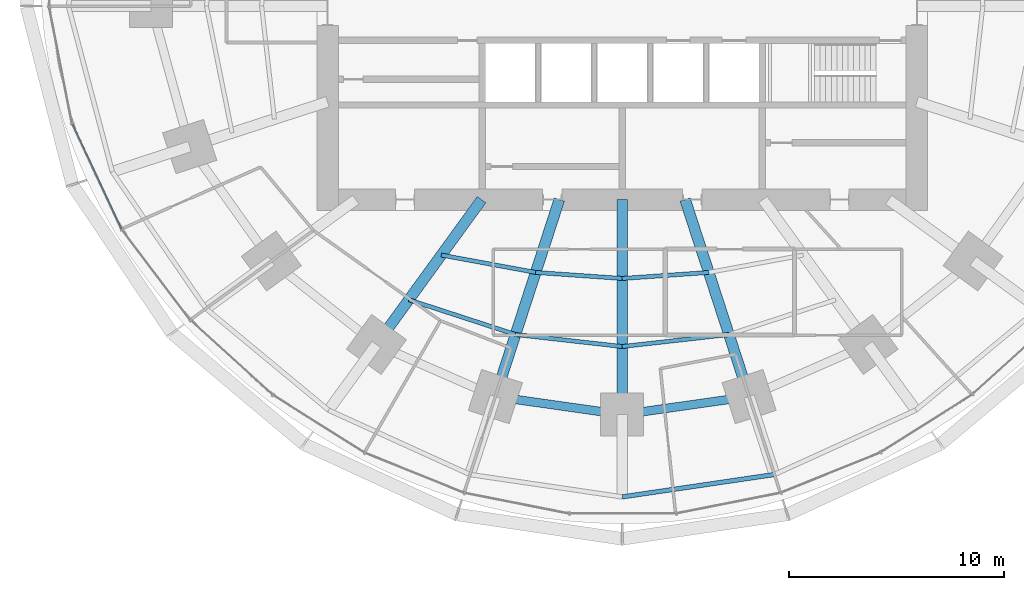
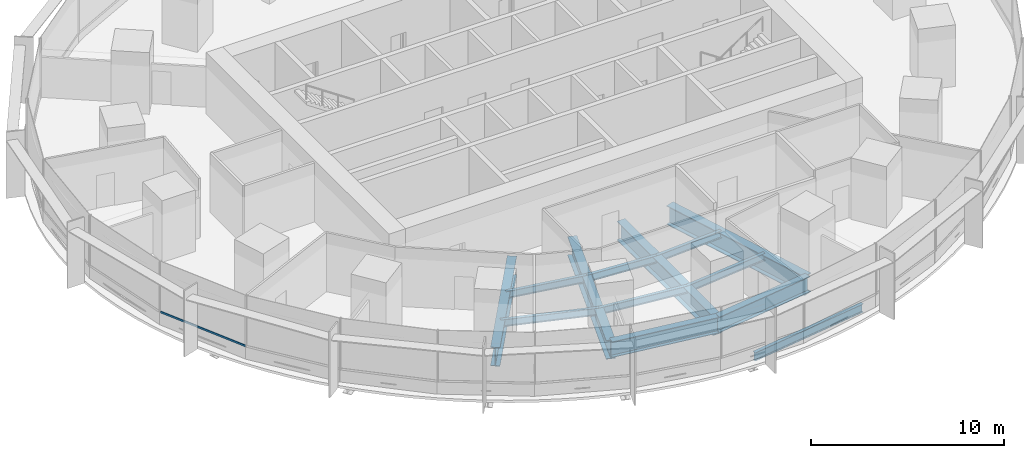
# One storey, part 3 of 15: 13 beams, 1 member, 1 element without a shape of its own.
"""IFC4 building model written with IfcOpenShell, lengths in metres."""

import ifcopenshell
import ifcopenshell.guid

model = None  # the IFC model being written
_history = None  # IfcOwnerHistory: only IFC2X3 demands one
_inside = {}  # id of a spatial element -> (the spatial element, [elements in it])
_under = {}  # id of a project, library or spatial element -> (it, [spatial elements below it])
_declared = {}  # id of a project -> (the project, [libraries it declares])
_typed = {}  # id of a type object -> (the type object, [elements of that type])
_made_of = {}  # id of a material, layer set ... -> (it, [elements and type objects made of it])


def new_model(schema):
    """Start an empty IFC model of exactly this schema.

    Asked for "IFC4X3", IfcOpenShell would pick the latest addendum, in which some entities
    have other attributes; the version numbers below select the first issue.
    IFC2X3 requires an IfcOwnerHistory on every rooted entity: one is made here for all.
    """
    global model, _history
    if schema == "IFC4X3":
        model = ifcopenshell.file(schema_version=(4, 3, 0, 0))
    else:
        model = ifcopenshell.file(schema=schema)
    _inside.clear()
    _under.clear()
    _declared.clear()
    _typed.clear()
    _made_of.clear()
    _history = None
    if model.schema == "IFC2X3":
        org = make("IfcOrganization", Name="unknown")
        user = make(
            "IfcPersonAndOrganization",
            ThePerson=make("IfcPerson", FamilyName="unknown"),
            TheOrganization=org,
        )
        app = make(
            "IfcApplication",
            ApplicationDeveloper=org,
            Version="unknown",
            ApplicationFullName="unknown",
            ApplicationIdentifier="unknown",
        )
        _history = make(
            "IfcOwnerHistory",
            OwningUser=user,
            OwningApplication=app,
            ChangeAction="ADDED",
            CreationDate=0,
        )
    return model


def make(cls, **values):
    """One entity of the class cls with the attributes given. An attribute that is None is left unset."""
    return model.create_entity(
        cls, **{name: value for name, value in values.items() if value is not None}
    )


def rooted(cls, **values):
    """An entity with a GlobalId (a new one), such as an element, a storey or a relation."""
    return make(cls, GlobalId=ifcopenshell.guid.new(), OwnerHistory=_history, **values)


def si_unit(unit_type, name, prefix=None):
    """IfcSIUnit, for example si_unit("LENGTHUNIT", "METRE", prefix="MILLI")."""
    return make("IfcSIUnit", UnitType=unit_type, Prefix=prefix, Name=name)


def assignment(units):
    """IfcUnitAssignment: the units of a project."""
    return None if units is None else make("IfcUnitAssignment", Units=units)


def point(xyz):
    """IfcCartesianPoint."""
    return None if xyz is None else make("IfcCartesianPoint", Coordinates=xyz)


def direction(xyz):
    """IfcDirection."""
    return None if xyz is None else make("IfcDirection", DirectionRatios=xyz)


def frame(location, z_axis=None, x_axis=None):
    """IfcAxis2Placement3D, a coordinate frame: its origin and axes. An axis left out is left unset."""
    return make(
        "IfcAxis2Placement3D",
        Location=point(location),
        Axis=direction(z_axis),
        RefDirection=direction(x_axis),
    )


def frame_2d(location, x_axis=None):
    """IfcAxis2Placement2D, a coordinate frame in the plane: its origin and x axis."""
    return make(
        "IfcAxis2Placement2D", Location=point(location), RefDirection=direction(x_axis)
    )


def origin():
    """The frame at (0, 0, 0) with its axes left unset."""
    return frame((0.0, 0.0, 0.0))


def origin_2d():
    """The frame at (0, 0) in the plane with its x axis left unset."""
    return frame_2d((0.0, 0.0))


def place(relative_to, where):
    """IfcLocalPlacement: puts the frame where relative to a parent placement (None: the world)."""
    return make(
        "IfcLocalPlacement", PlacementRelTo=relative_to, RelativePlacement=where
    )


def context(
    kind, dimensions, precision=None, world=None, true_north=None, identifier=None
):
    """IfcGeometricRepresentationContext, for example the 3D "Model" context."""
    return make(
        "IfcGeometricRepresentationContext",
        ContextIdentifier=identifier,
        ContextType=kind,
        CoordinateSpaceDimension=dimensions,
        Precision=precision,
        WorldCoordinateSystem=world,
        TrueNorth=true_north,
    )


def subcontext(parent, identifier, kind, view, scale=None):
    """IfcGeometricRepresentationSubContext, for example "Body" below "Model"."""
    return make(
        "IfcGeometricRepresentationSubContext",
        ContextIdentifier=identifier,
        ContextType=kind,
        ParentContext=parent,
        TargetScale=scale,
        TargetView=view,
    )


def project(units=None, contexts=None):
    """IfcProject with its units and contexts."""
    return rooted(
        "IfcProject",
        Name="project",
        RepresentationContexts=contexts,
        UnitsInContext=assignment(units),
    )


def spatial(cls, under=None, at=None, **own):
    """A site, building, storey or space (cls), placed at a placement, below another one or the project."""
    s = rooted(cls, ObjectPlacement=at, **own)
    if under is not None:
        _under.setdefault(under.id(), (under, []))[1].append(s)
    return s


def profile(cls, at=None, kind="AREA", **sizes):
    """A parametric profile (cls). Its sizes go by their IFC names, for example OverallWidth=200.0."""
    return make(cls, ProfileType=kind, Position=at, **sizes)


def rectangle(**sizes):
    """IfcRectangleProfileDef."""
    return profile("IfcRectangleProfileDef", **sizes)


def i_section(**sizes):
    """IfcIShapeProfileDef."""
    return profile("IfcIShapeProfileDef", **sizes)


def extrude(swept, where, along, depth):
    """IfcExtrudedAreaSolid: the profile swept, set in the frame where, extruded along a direction by depth."""
    return make(
        "IfcExtrudedAreaSolid",
        SweptArea=swept,
        Position=where,
        ExtrudedDirection=direction(along),
        Depth=depth,
    )


def shape(context_of_items, identifier, shape_type, items):
    """IfcShapeRepresentation: the items that make up one representation, for example the "Body"."""
    return make(
        "IfcShapeRepresentation",
        ContextOfItems=context_of_items,
        RepresentationIdentifier=identifier,
        RepresentationType=shape_type,
        Items=items,
    )


def material(Name=None, Category=None):
    """IfcMaterial."""
    return make("IfcMaterial", Name=Name, Category=Category)


def material_profile(
    of_material, cross_section, Name=None, Category=None, Priority=None
):
    """IfcMaterialProfile: a cross section and its material."""
    return make(
        "IfcMaterialProfile",
        Name=Name,
        Material=of_material,
        Profile=cross_section,
        Priority=Priority,
        Category=Category,
    )


def profile_set(profiles, Name=None, composite=None):
    """IfcMaterialProfileSet."""
    return make(
        "IfcMaterialProfileSet",
        Name=Name,
        MaterialProfiles=profiles,
        CompositeProfile=composite,
    )


def made_of(thing, what):
    """Note that an element or type object is made of a material, layer set ...; save() writes the relation."""
    if what is not None:
        _made_of.setdefault(what.id(), (what, []))[1].append(thing)
    return thing


def type_object(cls, material=None, **own):
    """A type object (cls), such as IfcWallType, which elements share."""
    return made_of(rooted(cls, **own), material)


def element(
    cls,
    number,
    at=None,
    inside=None,
    cuts=None,
    type_object=None,
    material=None,
    context=None,
    identifier="Body",
    shape_type=None,
    held_by="IfcProductDefinitionShape",
    body=None,
    shapes=None,
    **own,
):
    """One element of the class cls, such as IfcWall. Its Tag is "e" and its number.

    at: its placement. inside: the storey or other place that contains it. cuts: it is an
    opening in that element (IfcRelVoidsElement). A single representation is given by context,
    identifier, shape_type and body (its items); several are given by shapes. held_by: the class
    of the entity that holds the representations. save() writes the other relations.
    """
    e = rooted(cls, Tag="e%d" % number, ObjectPlacement=at, **own)
    if body is not None:
        shapes = [shape(context, identifier, shape_type, body)]
    if shapes is not None:
        e.Representation = make(held_by, Representations=shapes)
    if inside is not None:
        _inside.setdefault(inside.id(), (inside, []))[1].append(e)
    if cuts is not None:
        rooted(
            "IfcRelVoidsElement", RelatingBuildingElement=cuts, RelatedOpeningElement=e
        )
    if type_object is not None:
        _typed.setdefault(type_object.id(), (type_object, []))[1].append(e)
    return made_of(e, material)


def aggregate(whole, parts):
    """IfcRelAggregates: a whole, such as a stair, and the parts it consists of."""
    return rooted("IfcRelAggregates", RelatingObject=whole, RelatedObjects=parts)


def save(model, path):
    """Write the relations noted so far, then the file.

    IfcRelAggregates (storeys below a building ...), IfcRelContainedInSpatialStructure (elements
    in a storey), IfcRelDefinesByType, IfcRelAssociatesMaterial and IfcRelDeclares: one each for
    every whole, place, type object, material and project.
    """
    for whole, parts in _under.values():
        aggregate(whole, parts)
    for where, things in _inside.values():
        rooted(
            "IfcRelContainedInSpatialStructure",
            RelatedElements=things,
            RelatingStructure=where,
        )
    for kind, things in _typed.values():
        rooted("IfcRelDefinesByType", RelatedObjects=things, RelatingType=kind)
    for what, things in _made_of.values():
        rooted("IfcRelAssociatesMaterial", RelatedObjects=things, RelatingMaterial=what)
    for by, libraries in _declared.values():
        rooted("IfcRelDeclares", RelatingContext=by, RelatedDefinitions=libraries)
    model.write(path)


model = new_model("IFC4")

# Units and contexts
model_context = context("Model", 3, precision=1e-05, world=origin(), true_north=direction((0.0, 1.0)))
body_context = subcontext(model_context, "Body", "Model", "MODEL_VIEW")
ifc_project = project(units=[si_unit("LENGTHUNIT", "METRE"), si_unit("AREAUNIT", "SQUARE_METRE"), si_unit("VOLUMEUNIT", "CUBIC_METRE"), si_unit("PLANEANGLEUNIT", "RADIAN"), si_unit("MASSUNIT", "GRAM", prefix="KILO")], contexts=[model_context])

# Site, building, storey
site_placement = place(None, origin())
site = spatial("IfcSite", under=ifc_project, at=site_placement, CompositionType="ELEMENT")
building_placement = place(site_placement, origin())
building = spatial("IfcBuilding", under=site, at=building_placement, Name="Marramba Exchange Tower", CompositionType="ELEMENT")
storey_placement = place(building_placement, frame((0.0, 0.0, 57.39990234375)))
storey = spatial("IfcBuildingStorey", under=building, at=storey_placement, Name="L13", CompositionType="ELEMENT", Elevation=57.39990234375)

# Beams
ifc_material_1 = material(Name="Steel AS/NZS 3679.1 grade 300", Category="steel")
ifc_material_profile_1 = material_profile(ifc_material_1, i_section(OverallWidth=0.18994140625, OverallDepth=0.4541015625, WebThickness=0.008544921875, FlangeThickness=0.0126953125, FilletRadius=0.011474609375, at=origin_2d()), Name="460UB67.1")
ifc_profile_set_1 = profile_set([ifc_material_profile_1], Name="Steel AS/NZS 3679.1 grade 300")
beam_type_1 = type_object("IfcBeamType", Name="Floor joist 460UB67.1", PredefinedType="JOIST", material=ifc_profile_set_1)
beam_1_placement = place(storey_placement, frame((-8.41162109375, -11.57763671875, -0.386962890625), z_axis=(0.983455754421, -0.181148500119, 0.0), x_axis=(0.181148500119, 0.983455754421, 0.0)))
element("IfcBeam", 1, at=beam_1_placement, inside=storey, type_object=beam_type_1, Name="Joist L13 bay 14 row 1", PredefinedType="JOIST", context=body_context, shape_type="SweptSolid", body=[
    extrude(i_section(OverallWidth=0.18994140625, OverallDepth=0.4541015625, WebThickness=0.008544921875, FlangeThickness=0.0126953125, FilletRadius=0.011474609375, at=origin_2d()), origin(), (0.0, 0.0, 1.0), 4.4609375),
])
beam_2_placement = place(storey_placement, frame((-9.9208984375, -13.655029296875, -0.386962890625), z_axis=(0.950764024931, -0.309915744834, 0.0), x_axis=(0.309915744834, 0.950764024931, 0.0)))
element("IfcBeam", 2, at=beam_2_placement, inside=storey, type_object=beam_type_1, Name="Joist L13 bay 14 row 2", PredefinedType="JOIST", context=body_context, shape_type="SweptSolid", body=[
    extrude(i_section(OverallWidth=0.18994140625, OverallDepth=0.4541015625, WebThickness=0.008544921875, FlangeThickness=0.0126953125, FilletRadius=0.011474609375, at=origin_2d()), origin(), (0.0, 0.0, 1.0), 5.2158203125),
])
beam_3_placement = place(storey_placement, frame((-4.0244140625, -12.3857421875, -0.386962890625), z_axis=(0.99759625901, -0.069294328838, 0.0), x_axis=(0.069294328838, 0.99759625901, 0.0)))
element("IfcBeam", 3, at=beam_3_placement, inside=storey, type_object=beam_type_1, Name="Joist L13 bay 15 row 1", PredefinedType="JOIST", context=body_context, shape_type="SweptSolid", body=[
    extrude(i_section(OverallWidth=0.18994140625, OverallDepth=0.4541015625, WebThickness=0.008544921875, FlangeThickness=0.0126953125, FilletRadius=0.011474609375, at=origin_2d()), origin(), (0.0, 0.0, 1.0), 4.0341796875),
])
beam_4_placement = place(storey_placement, frame((-4.9619140625, -15.271484375, -0.386962890625), z_axis=(0.993712018573, -0.111966174106, 0.0), x_axis=(0.111966174106, 0.993712018573, 0.0)))
element("IfcBeam", 4, at=beam_4_placement, inside=storey, type_object=beam_type_1, Name="Joist L13 bay 15 row 2", PredefinedType="JOIST", context=body_context, shape_type="SweptSolid", body=[
    extrude(i_section(OverallWidth=0.18994140625, OverallDepth=0.4541015625, WebThickness=0.008544921875, FlangeThickness=0.0126953125, FilletRadius=0.011474609375, at=origin_2d()), origin(), (0.0, 0.0, 1.0), 4.993408203125),
])
beam_5_placement = place(storey_placement, frame((0.0, -12.665283203125, -0.386962890625), z_axis=(0.99759625901, 0.069294328838, 0.0), x_axis=(-0.069294328838, 0.99759625901, 0.0)))
element("IfcBeam", 5, at=beam_5_placement, inside=storey, type_object=beam_type_1, Name="Joist L13 bay 16 row 1", PredefinedType="JOIST", context=body_context, shape_type="SweptSolid", body=[
    extrude(i_section(OverallWidth=0.18994140625, OverallDepth=0.4541015625, WebThickness=0.008544921875, FlangeThickness=0.0126953125, FilletRadius=0.011474609375, at=origin_2d()), origin(), (0.0, 0.0, 1.0), 4.0341796875),
])
beam_6_placement = place(storey_placement, frame((0.0, -15.83056640625, -0.386962890625), z_axis=(0.993712018573, 0.111966174106, 0.0), x_axis=(-0.111966174106, 0.993712018573, 0.0)))
element("IfcBeam", 6, at=beam_6_placement, inside=storey, type_object=beam_type_1, Name="Joist L13 bay 16 row 2", PredefinedType="JOIST", context=body_context, shape_type="SweptSolid", body=[
    extrude(i_section(OverallWidth=0.18994140625, OverallDepth=0.4541015625, WebThickness=0.008544921875, FlangeThickness=0.0126953125, FilletRadius=0.011474609375, at=origin_2d()), origin(), (0.0, 0.0, 1.0), 4.993408203125),
])
ifc_material_2 = material(Name="Steel AS/NZS 3679.2 grade 300", Category="steel")
ifc_material_profile_2 = material_profile(ifc_material_2, i_section(OverallWidth=0.5, OverallDepth=1.199951171875, WebThickness=0.01611328125, FlangeThickness=0.0400390625, at=origin_2d()), Name="1200WB455")
ifc_profile_set_2 = profile_set([ifc_material_profile_2], Name="Steel AS/NZS 3679.2 grade 300")
beam_type_2 = type_object("IfcBeamType", Name="Radial girder 1200WB455", PredefinedType="BEAM", material=ifc_profile_set_2)
beam_7_placement = place(storey_placement, frame((-6.538818359375, -9.0, -0.760009765625), z_axis=(-0.587787877172, -0.809015087282, 0.0), x_axis=(0.809015087282, -0.587787877172, 0.0)))
element("IfcBeam", 7, at=beam_7_placement, inside=storey, type_object=beam_type_2, Name="Radial girder L13 TC14", PredefinedType="BEAM", context=body_context, shape_type="SweptSolid", body=[
    extrude(i_section(OverallWidth=0.5, OverallDepth=1.199951171875, WebThickness=0.01611328125, FlangeThickness=0.0400390625, at=origin_2d()), origin(), (0.0, 0.0, 1.0), 8.322021484375),
])
beam_8_placement = place(storey_placement, frame((-2.92431640625, -9.0, -0.760009765625), z_axis=(-0.309022428985, -0.951054750466, 0.0), x_axis=(0.951054750466, -0.309022428985, 0.0)))
element("IfcBeam", 8, at=beam_8_placement, inside=storey, type_object=beam_type_2, Name="Radial girder L13 TC15", PredefinedType="BEAM", context=body_context, shape_type="SweptSolid", body=[
    extrude(i_section(OverallWidth=0.5, OverallDepth=1.199951171875, WebThickness=0.01611328125, FlangeThickness=0.0400390625, at=origin_2d()), origin(), (0.0, 0.0, 1.0), 9.628173828125),
])
beam_9_placement = place(storey_placement, frame((0.0, -9.0, -0.760009765625), z_axis=(0.0, -1.0, 0.0), x_axis=(1.0, 0.0, 0.0)))
element("IfcBeam", 9, at=beam_9_placement, inside=storey, type_object=beam_type_2, Name="Radial girder L13 TC16", PredefinedType="BEAM", context=body_context, shape_type="SweptSolid", body=[
    extrude(i_section(OverallWidth=0.5, OverallDepth=1.199951171875, WebThickness=0.01611328125, FlangeThickness=0.0400390625, at=origin_2d()), origin(), (0.0, 0.0, 1.0), 9.99609375),
])
beam_10_placement = place(storey_placement, frame((2.92431640625, -9.0, -0.760009765625), z_axis=(0.309022428985, -0.951054750466, 0.0), x_axis=(0.951054750466, 0.309022428985, 0.0)))
element("IfcBeam", 10, at=beam_10_placement, inside=storey, type_object=beam_type_2, Name="Radial girder L13 TC17", PredefinedType="BEAM", context=body_context, shape_type="SweptSolid", body=[
    extrude(i_section(OverallWidth=0.5, OverallDepth=1.199951171875, WebThickness=0.01611328125, FlangeThickness=0.0400390625, at=origin_2d()), origin(), (0.0, 0.0, 1.0), 9.628173828125),
])
ifc_material_profile_3 = material_profile(ifc_material_2, i_section(OverallWidth=0.39990234375, OverallDepth=1.0, WebThickness=0.01611328125, FlangeThickness=0.031982421875, at=origin_2d()), Name="1000WB322")
ifc_profile_set_3 = profile_set([ifc_material_profile_3], Name="Steel AS/NZS 3679.2 grade 300")
beam_type_3 = type_object("IfcBeamType", Name="Ring beam 1000WB322", PredefinedType="SPANDREL", material=ifc_profile_set_3)
for number, where, z_axis, x_axis, name in (
    (11, (-5.899658203125, -18.156982421875, -0.659912109375), (0.990036163016, -0.140813337152, 0.0), (0.140813337152, 0.990036163016, 0.0), "Ring beam L13 TC15-TC16"),
    (12, (0.0, -18.99609375, -0.659912109375), (0.990036163016, 0.140813337152, 0.0), (-0.140813337152, 0.990036163016, 0.0), "Ring beam L13 TC16-TC17"),
):
    element("IfcBeam", number, at=place(storey_placement, frame(where, z_axis=z_axis, x_axis=x_axis)), inside=storey, type_object=beam_type_3, Name=name, PredefinedType="SPANDREL", context=body_context, shape_type="SweptSolid", body=[
        extrude(i_section(OverallWidth=0.39990234375, OverallDepth=1.0, WebThickness=0.01611328125, FlangeThickness=0.031982421875, at=origin_2d()), origin(), (0.0, 0.0, 1.0), 5.958984375),
    ])
ifc_material_profile_4 = material_profile(ifc_material_1, i_section(OverallWidth=0.208984375, OverallDepth=0.528076171875, WebThickness=0.009521484375, FlangeThickness=0.01318359375, FilletRadius=0.013916015625, at=origin_2d()), Name="530UB82.0")
ifc_profile_set_4 = profile_set([ifc_material_profile_4], Name="Steel AS/NZS 3679.1 grade 300")
beam_type_4 = type_object("IfcBeamType", Name="Slab edge beam 530UB82.0", PredefinedType="SPANDREL", material=ifc_profile_set_4)
beam_11_placement = place(storey_placement, frame((0.0, -22.822021484375, -0.423828125), z_axis=(0.989338462178, 0.145634498848, 0.0), x_axis=(-0.145634498848, 0.989338462178, 0.0)))
element("IfcBeam", 13, at=beam_11_placement, inside=storey, type_object=beam_type_4, Name="Slab edge beam L13 TC16-TC17", PredefinedType="SPANDREL", context=body_context, shape_type="SweptSolid", body=[
    extrude(i_section(OverallWidth=0.208984375, OverallDepth=0.528076171875, WebThickness=0.009521484375, FlangeThickness=0.01318359375, FilletRadius=0.013916015625, at=origin_2d()), origin(), (0.0, 0.0, 1.0), 7.153076171875),
])

# Curtain wall, member
ifc_material_3 = material(Name="Aluminium framing, bronze anodised", Category="aluminium")
curtain_wall_type = type_object("IfcCurtainWallType", Name="Trading floor ribbon curtain wall", PredefinedType="USERDEFINED", material=ifc_material_3)
curtain_wall_placement = place(storey_placement, origin())
curtain_wall = element("IfcCurtainWall", 14, at=curtain_wall_placement, inside=storey, type_object=curtain_wall_type, Name="Curtain wall CW3 L13 F16-F20", ObjectType="RIBBON CURTAIN WALL", PredefinedType="USERDEFINED")
ifc_material_4 = material(Name="Aluminium transom, bronze anodised", Category="aluminium")
ifc_material_profile_5 = material_profile(ifc_material_4, rectangle(XDim=0.06005859375, YDim=0.1201171875, at=origin_2d()), Name="CW3 transom 60x120")
ifc_profile_set_5 = profile_set([ifc_material_profile_5], Name="Aluminium transom, bronze anodised")
member_type = type_object("IfcMemberType", Name="Trading floor ribbon curtain wall transom", PredefinedType="USERDEFINED", material=ifc_profile_set_5)
member_placement = place(storey_placement, frame((-25.559326171875, -5.492431640625, 0.830078125), z_axis=(0.423494101671, -0.905898860718, 0.0), x_axis=(0.905898860718, 0.423494101671, 0.0)))
member = element("IfcMember", 15, at=member_placement, type_object=member_type, Name="CW3 sill transom", ObjectType="TRANSOM", PredefinedType="USERDEFINED", context=body_context, shape_type="SweptSolid", body=[
    extrude(rectangle(XDim=0.06005859375, YDim=0.1201171875, at=origin_2d()), origin(), (0.0, 0.0, 1.0), 5.379150390625),
])
aggregate(curtain_wall, [member])

save(model, "model.ifc")
